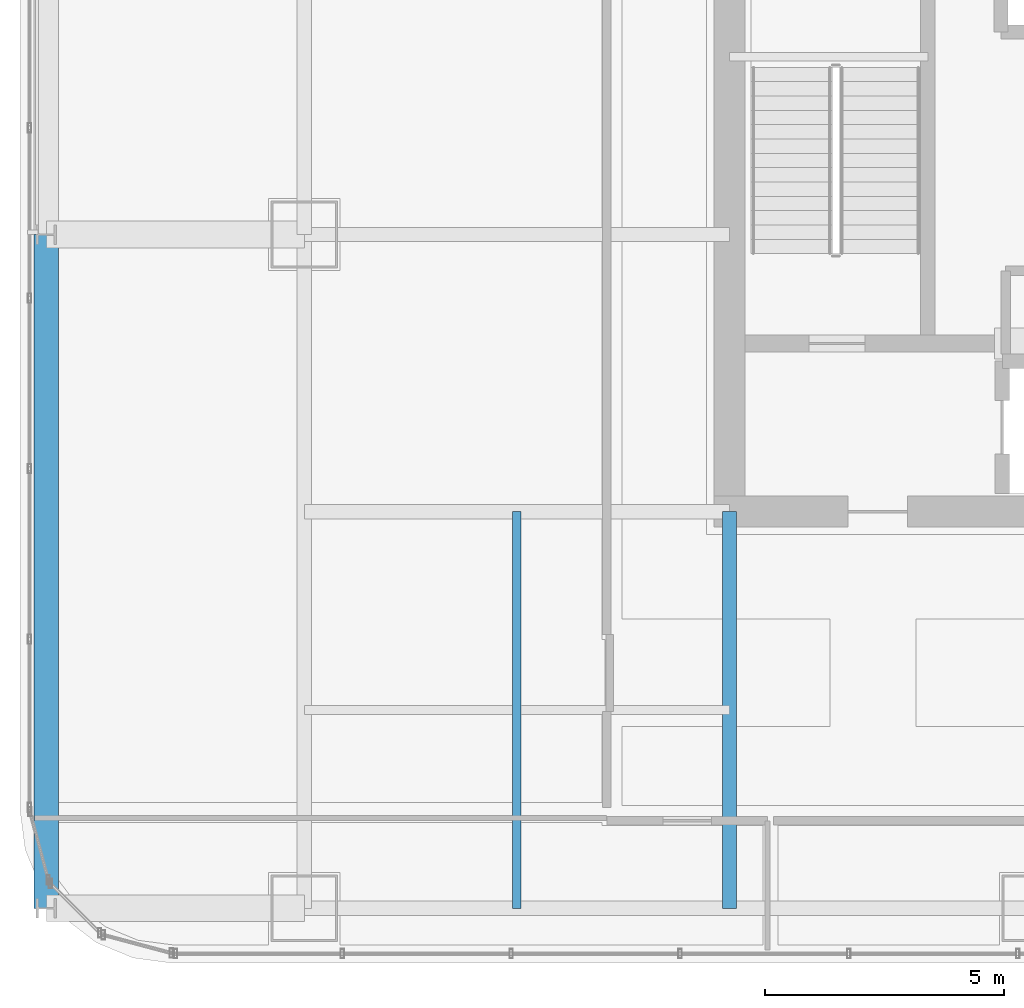
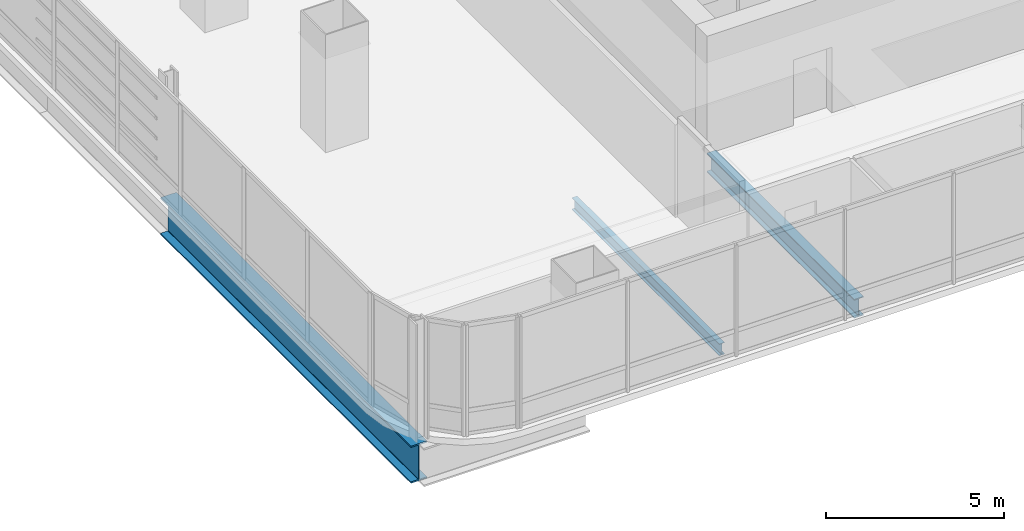
# One storey, part 4 of 38: 3 beams.
"""IFC4 building model written with IfcOpenShell, lengths in metres."""

from ifc_helpers import new_model, si_unit, direction, frame, origin, origin_2d, place, context, subcontext, project, spatial, i_section, extrude, material, material_profile, profile_set, type_object, element, save


model = new_model("IFC4")

# Units and contexts
model_context = context("Model", 3, precision=1e-05, world=origin(), true_north=direction((0.0, 1.0)))
body_context = subcontext(model_context, "Body", "Model", "MODEL_VIEW")
ifc_project = project(units=[si_unit("LENGTHUNIT", "METRE"), si_unit("AREAUNIT", "SQUARE_METRE"), si_unit("VOLUMEUNIT", "CUBIC_METRE"), si_unit("PLANEANGLEUNIT", "RADIAN"), si_unit("MASSUNIT", "GRAM", prefix="KILO")], contexts=[model_context])

# Site, building, storey
site_placement = place(None, origin())
site = spatial("IfcSite", under=ifc_project, at=site_placement, CompositionType="ELEMENT")
building_placement = place(site_placement, origin())
building = spatial("IfcBuilding", under=site, at=building_placement, Name="Punatoya Terracotta Tower", CompositionType="ELEMENT")
storey_placement = place(building_placement, frame((0.0, 0.0, 160.050048828125)))
storey = spatial("IfcBuildingStorey", under=building, at=storey_placement, Name="L37", CompositionType="ELEMENT", Elevation=160.050048828125)

# Beams
ifc_material_1 = material(Name="Steel S355", Category="steel")
ifc_material_profile_1 = material_profile(ifc_material_1, i_section(OverallWidth=0.300048828125, OverallDepth=0.64990234375, WebThickness=0.01611328125, FlangeThickness=0.031005859375, FilletRadius=0.01806640625, at=origin_2d()))
ifc_profile_set_1 = profile_set([ifc_material_profile_1], Name="Steel S355")
beam_type_1 = type_object("IfcBeamType", Name="BM-PRI-650", PredefinedType="BEAM", material=ifc_profile_set_1)
beam_1_placement = place(storey_placement, frame((-10.199951171875, -17.5, -0.545166015625), z_axis=(0.0, 1.0, 0.0), x_axis=(-1.0, 0.0, 0.0)))
element("IfcBeam", 1, at=beam_1_placement, inside=storey, type_object=beam_type_1, Name="BM-L37-PR-S1", PredefinedType="BEAM", context=body_context, shape_type="SweptSolid", body=[
    extrude(i_section(OverallWidth=0.300048828125, OverallDepth=0.64990234375, WebThickness=0.01611328125, FlangeThickness=0.031005859375, FilletRadius=0.01806640625, at=origin_2d()), origin(), (0.0, 0.0, 1.0), 8.300048828125),
])
ifc_material_profile_2 = material_profile(ifc_material_1, i_section(OverallWidth=0.179931640625, OverallDepth=0.39990234375, WebThickness=0.008544921875, FlangeThickness=0.013427734375, FilletRadius=0.01806640625, at=origin_2d()))
ifc_profile_set_2 = profile_set([ifc_material_profile_2], Name="Steel S355")
beam_type_2 = type_object("IfcBeamType", Name="BM-SEC-400", PredefinedType="JOIST", material=ifc_profile_set_2)
beam_2_placement = place(storey_placement, frame((-14.64990234375, -17.5, -0.420166015625), z_axis=(0.0, 1.0, 0.0), x_axis=(-1.0, 0.0, 0.0)))
element("IfcBeam", 2, at=beam_2_placement, inside=storey, type_object=beam_type_2, Name="BM-L37-SJW-1", PredefinedType="JOIST", context=body_context, shape_type="SweptSolid", body=[
    extrude(i_section(OverallWidth=0.179931640625, OverallDepth=0.39990234375, WebThickness=0.008544921875, FlangeThickness=0.013427734375, FilletRadius=0.01806640625, at=origin_2d()), origin(), (0.0, 0.0, 1.0), 8.300048828125),
])
ifc_material_2 = material(Name="Steel S460", Category="steel")
ifc_material_profile_3 = material_profile(ifc_material_2, i_section(OverallWidth=0.52001953125, OverallDepth=1.280029296875, WebThickness=0.031982421875, FlangeThickness=0.050048828125, FilletRadius=0.01806640625, at=origin_2d()))
ifc_profile_set_3 = profile_set([ifc_material_profile_3], Name="Steel S460")
beam_type_3 = type_object("IfcBeamType", Name="BM-TG-NCK", PredefinedType="BEAM", material=ifc_profile_set_3)
beam_3_placement = place(storey_placement, frame((-24.5, -17.5, -0.860107421875), z_axis=(0.0, 1.0, 0.0), x_axis=(-1.0, 0.0, 0.0)))
element("IfcBeam", 3, at=beam_3_placement, inside=storey, type_object=beam_type_3, Name="BM-L37-PER-W1", PredefinedType="BEAM", context=body_context, shape_type="SweptSolid", body=[
    extrude(i_section(OverallWidth=0.52001953125, OverallDepth=1.280029296875, WebThickness=0.031982421875, FlangeThickness=0.050048828125, FilletRadius=0.01806640625, at=origin_2d()), origin(), (0.0, 0.0, 1.0), 14.10009765625),
])

save(model, "model.ifc")
